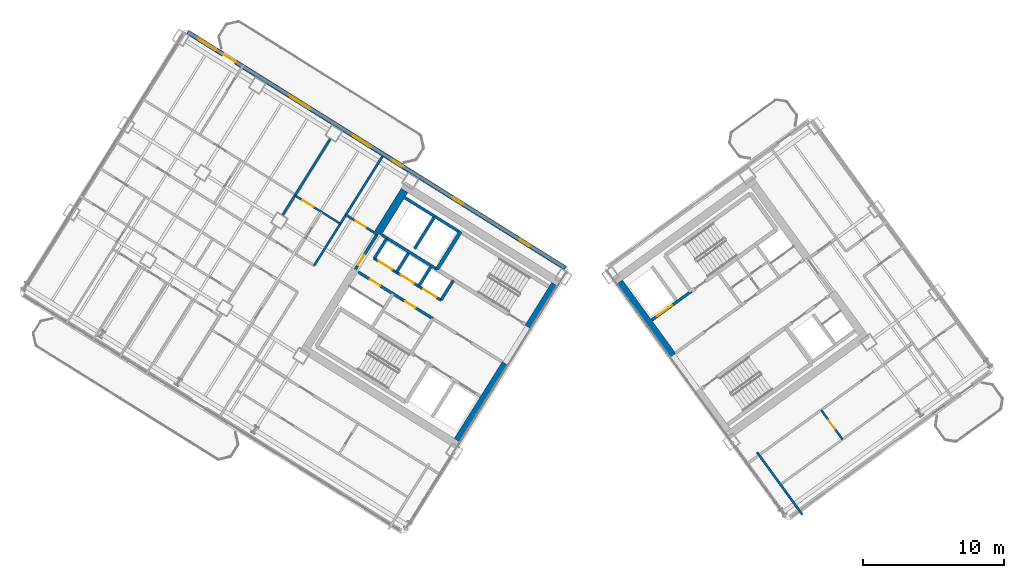
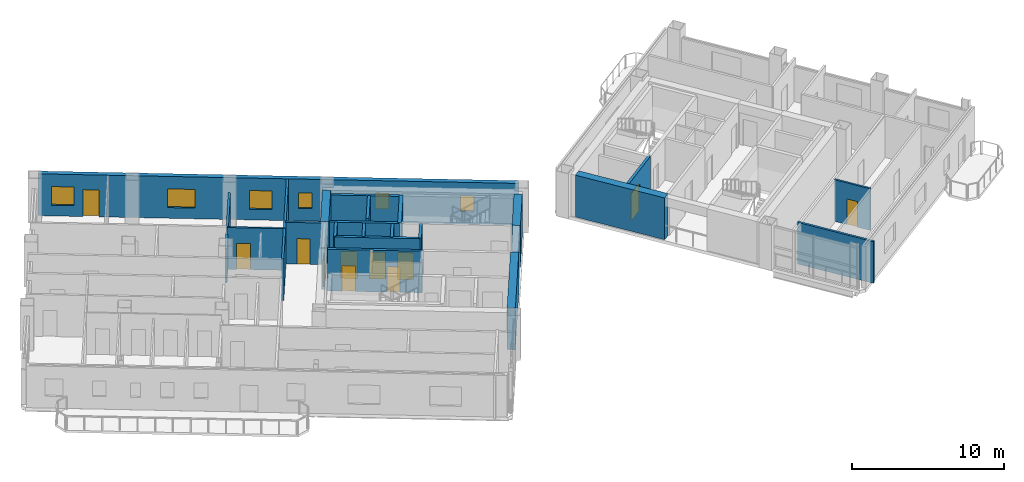
# One storey, part 12 of 19: 23 walls, 11 doors, 6 windows, 17 openings.
"""IFC4 building model written with IfcOpenShell, lengths in metres."""

from ifc_helpers import new_model, si_unit, direction, frame, frame_2d, origin, place, context, subcontext, project, spatial, rectangle, extrude, source, transform, mapped, material, layer, layer_set, type_object, element, fill, save


model = new_model("IFC4")

# Units and contexts
model_context = context("Model", 3, precision=1e-05, world=origin(), true_north=direction((0.0, 1.0)))
body_context = subcontext(model_context, "Body", "Model", "MODEL_VIEW")
ifc_project = project(units=[si_unit("LENGTHUNIT", "METRE"), si_unit("AREAUNIT", "SQUARE_METRE"), si_unit("VOLUMEUNIT", "CUBIC_METRE"), si_unit("PLANEANGLEUNIT", "RADIAN"), si_unit("MASSUNIT", "GRAM", prefix="KILO")], contexts=[model_context])

# Site, building, storey
site_placement = place(None, origin())
site = spatial("IfcSite", under=ifc_project, at=site_placement, CompositionType="ELEMENT")
building_placement = place(site_placement, origin())
building = spatial("IfcBuilding", under=site, at=building_placement, Name="Tlacorven Tower", CompositionType="ELEMENT")
storey_placement = place(building_placement, frame((0.0, 0.0, 144.300048828125)))
storey = spatial("IfcBuildingStorey", under=building, at=storey_placement, Name="L36", CompositionType="ELEMENT", Elevation=144.300048828125)

# Walls
ifc_material_1 = material(Name="Concrete C60/75", Category="concrete")
ifc_layer_1 = layer(ifc_material_1, 0.550048828125)
ifc_layer_set_1 = layer_set([ifc_layer_1], Name="Concrete C60/75")
wall_type_1 = type_object("IfcWallType", Name="WL-COR-550", PredefinedType="SHEAR", material=ifc_layer_set_1)
wall_1_placement = place(storey_placement, frame((40.194091796875, 23.92236328125, 0.0), z_axis=(0.0, 0.0, 1.0), x_axis=(-0.529888438328, -0.848067357541, 0.0)))
element("IfcWall", 1, at=wall_1_placement, inside=storey, type_object=wall_type_1, Name="L36 W core end wall E1.1", PredefinedType="SHEAR", context=body_context, shape_type="SweptSolid", body=[
    extrude(rectangle(XDim=3.574951171875, YDim=0.550048828125, at=frame_2d((1.78759765625, 0.0))), origin(), (0.0, 0.0, 1.0), 3.349853515625),
])
wall_2_placement = place(storey_placement, frame((36.683349609375, 18.30419921875, 0.0), z_axis=(0.0, 0.0, 1.0), x_axis=(-0.529896466841, -0.848062341122, 0.0)))
element("IfcWall", 2, at=wall_2_placement, inside=storey, type_object=wall_type_1, Name="L36 W core end wall E1.2", PredefinedType="SHEAR", context=body_context, shape_type="SweptSolid", body=[
    extrude(rectangle(XDim=6.4248046875, YDim=0.550048828125, at=frame_2d((3.21240234375, 0.0))), origin(), (0.0, 0.0, 1.0), 3.349853515625),
])
wall_3_placement = place(storey_placement, frame((29.517333984375, 30.59423828125, 0.0), z_axis=(0.0, 0.0, 1.0), x_axis=(-0.529906864564, -0.848055844204, 0.0)))
element("IfcWall", 3, at=wall_3_placement, inside=storey, type_object=wall_type_1, Name="L36 W core end wall E2.1", PredefinedType="SHEAR", context=body_context, shape_type="SweptSolid", body=[
    extrude(rectangle(XDim=3.5751953125, YDim=0.550048828125, at=frame_2d((1.78759765625, 0.0))), origin(), (0.0, 0.0, 1.0), 3.349853515625),
])
wall_4_placement = place(storey_placement, frame((48.525634765625, 18.883544921875, 0.0), z_axis=(0.0, 0.0, 1.0), x_axis=(-0.587764933797, 0.809031756236, 0.0)))
element("IfcWall", 4, at=wall_4_placement, inside=storey, type_object=wall_type_1, Name="L36 E core end wall E1.2", PredefinedType="SHEAR", context=body_context, shape_type="SweptSolid", body=[
    extrude(rectangle(XDim=6.425048828125, YDim=0.550048828125, at=frame_2d((3.21240234375, 0.0))), origin(), (0.0, 0.0, 1.0), 3.349853515625),
])

# Wall, opening, door
ifc_material_2 = material(Name="Gypsum plasterboard acoustic partition", Category="gypsum")
ifc_layer_2 = layer(ifc_material_2, 0.159912109375)
ifc_layer_set_2 = layer_set([ifc_layer_2], Name="Gypsum plasterboard acoustic partition")
wall_type_2 = type_object("IfcWallType", Name="WL-DEM-160", PredefinedType="PARTITIONING", material=ifc_layer_set_2)
wall_5_placement = place(storey_placement, frame((27.56982421875, 27.4775390625, 0.0), z_axis=(0.0, 0.0, 1.0), x_axis=(-0.848050851465, 0.529914854792, 0.0)))
wall_5 = element("IfcWall", 5, at=wall_5_placement, inside=storey, type_object=wall_type_2, Name="L36 partition 46", PredefinedType="PARTITIONING", context=body_context, shape_type="SweptSolid", body=[
    extrude(rectangle(XDim=2.60986328125, YDim=0.159912109375, at=frame_2d((1.304931640625, 0.0))), origin(), (0.0, 0.0, 1.0), 3.33984375),
])
opening_1_placement = place(wall_5_placement, frame((0.949951171875, 0.0, 0.0)))
opening_1 = element("IfcOpeningElement", 6, at=opening_1_placement, cuts=wall_5, Name="Opening D19", PredefinedType="OPENING", context=body_context, shape_type="SweptSolid", body=[
    extrude(rectangle(XDim=0.860107421875, YDim=2.050048828125, at=frame_2d((0.43017578125, 1.02490234375))), frame((0.0, 0.08984375, 0.0), z_axis=(0.0, -1.0, 0.0), x_axis=(1.0, 0.0, 0.0)), (0.0, 0.0, 1.0), 0.179931640625),
])
ifc_material_3 = material(Name="Fire-rated steel door assembly", Category="steel")
door_type_1 = type_object("IfcDoorType", Name="DR-RSR-FD60-0860", OperationType="NOTDEFINED", PredefinedType="DOOR", material=ifc_material_3)
shared_shape_1 = source(origin(), body_context, "Body", "SweptSolid", [
    extrude(rectangle(XDim=0.860107421875, YDim=2.050048828125, at=frame_2d((0.43017578125, 1.02490234375))), frame((0.0, 0.02490234375, 0.0), z_axis=(0.0, -1.0, 0.0), x_axis=(1.0, 0.0, 0.0)), (0.0, 0.0, 1.0), 0.050048828125),
])
door_1_placement = place(opening_1_placement, frame((0.860107421875, 0.0, 0.0), z_axis=(0.0, 0.0, 1.0), x_axis=(-1.0, 0.0, 0.0)))
door_1 = element("IfcDoor", 7, at=door_1_placement, inside=storey, type_object=door_type_1, Name="L36 door 023", OperationType="SINGLE_SWING_LEFT", OverallHeight=2.050048828125, OverallWidth=0.860107421875, PredefinedType="DOOR", context=body_context, shape_type="MappedRepresentation", body=[
    mapped(shared_shape_1, transform((0.0, 0.0, 0.0), scale=1.0)),
])
fill(opening_1, door_1)

# Walls
wall_6_placement = place(storey_placement, frame((27.952880859375, 33.01611328125, 0.0), z_axis=(0.0, 0.0, 1.0), x_axis=(-0.529903001606, -0.848058257957, 0.0)))
element("IfcWall", 8, at=wall_6_placement, inside=storey, type_object=wall_type_2, Name="L36 partition 48", PredefinedType="PARTITIONING", context=body_context, shape_type="SweptSolid", body=[
    extrude(rectangle(XDim=9.150146484375, YDim=0.159912109375, at=frame_2d((4.5751953125, 0.0))), origin(), (0.0, 0.0, 1.0), 3.33984375),
])
wall_7_placement = place(storey_placement, frame((24.255615234375, 34.2509765625, 0.0), z_axis=(0.0, 0.0, 1.0), x_axis=(-0.529919772691, -0.848047778437, 0.0)))
element("IfcWall", 9, at=wall_7_placement, inside=storey, type_object=wall_type_2, Name="L36 WS Demising Wall 1", PredefinedType="PARTITIONING", context=body_context, shape_type="SweptSolid", body=[
    extrude(rectangle(XDim=6.375732421875, YDim=0.159912109375, at=frame_2d((3.18798828125, 0.0))), origin(), (0.0, 0.0, 1.0), 2.77490234375),
])
wall_8_placement = place(storey_placement, frame((57.747314453125, 7.586181640625, 0.0), z_axis=(0.0, 0.0, 1.0), x_axis=(-0.587784893399, 0.809017255126, 0.0)))
element("IfcWall", 10, at=wall_8_placement, inside=storey, type_object=wall_type_2, Name="L36 EC West Throat Wall", PredefinedType="PARTITIONING", context=body_context, shape_type="SweptSolid", body=[
    extrude(rectangle(XDim=5.480224609375, YDim=0.159912109375, at=frame_2d((2.740234375, 0.0))), origin(), (0.0, 0.0, 1.0), 3.33984375),
])

# Wall, openings, door, windows
ifc_material_4 = material(Name="Precast concrete C45/55", Category="concrete")
ifc_layer_3 = layer(ifc_material_4, 0.320068359375)
ifc_layer_set_3 = layer_set([ifc_layer_3], Name="Precast concrete C45/55")
wall_type_3 = type_object("IfcWallType", Name="WL-EXT-320", PredefinedType="STANDARD", material=ifc_layer_set_3)
wall_9_placement = place(storey_placement, frame((14.13818359375, 41.825439453125, 0.0), z_axis=(0.0, 0.0, 1.0), x_axis=(0.848046498049, -0.529921821731, 0.0)))
wall_9 = element("IfcWall", 11, at=wall_9_placement, inside=storey, type_object=wall_type_3, Name="L36 Masonry-Frame Recessed Facade Wall 3", PredefinedType="STANDARD", context=body_context, shape_type="SweptSolid", body=[
    extrude(rectangle(XDim=31.587646484375, YDim=0.320068359375, at=frame_2d((15.7939453125, 0.0))), origin(), (0.0, 0.0, 1.0), 3.349853515625),
])
opening_2_placement = place(wall_9_placement, frame((2.94873046875, 0.0, 0.0)))
opening_2 = element("IfcOpeningElement", 12, at=opening_2_placement, cuts=wall_9, Name="Opening D06", PredefinedType="OPENING", context=body_context, shape_type="SweptSolid", body=[
    extrude(rectangle(XDim=1.050048828125, YDim=2.14990234375, at=frame_2d((0.52490234375, 1.074951171875))), frame((0.0, 0.169921875, 0.0), z_axis=(0.0, -1.0, 0.0), x_axis=(1.0, 0.0, 0.0)), (0.0, 0.0, 1.0), 0.340087890625),
])
opening_3_placement = place(wall_9_placement, frame((0.861083984375, 0.0, 0.85009765625)))
opening_3 = element("IfcOpeningElement", 13, at=opening_3_placement, cuts=wall_9, Name="Opening WN02", PredefinedType="OPENING", context=body_context, shape_type="SweptSolid", body=[
    extrude(rectangle(XDim=1.5, YDim=1.5, at=frame_2d((0.75, 0.75))), frame((0.0, 0.169921875, 0.0), z_axis=(0.0, -1.0, 0.0), x_axis=(1.0, 0.0, 0.0)), (0.0, 0.0, 1.0), 0.340087890625),
])
opening_4_placement = place(wall_9_placement, frame((8.49365234375, 0.0, 0.85009765625)))
opening_4 = element("IfcOpeningElement", 14, at=opening_4_placement, cuts=wall_9, Name="Opening WN01", PredefinedType="OPENING", context=body_context, shape_type="SweptSolid", body=[
    extrude(rectangle(XDim=1.800048828125, YDim=1.5, at=frame_2d((0.89990234375, 0.75))), frame((0.0, 0.169921875, 0.0), z_axis=(0.0, -1.0, 0.0), x_axis=(1.0, 0.0, 0.0)), (0.0, 0.0, 1.0), 0.340087890625),
])
opening_5_placement = place(wall_9_placement, frame((13.873779296875, 0.0, 0.85009765625)))
opening_5 = element("IfcOpeningElement", 15, at=opening_5_placement, cuts=wall_9, Name="Opening WN02", PredefinedType="OPENING", context=body_context, shape_type="SweptSolid", body=[
    extrude(rectangle(XDim=1.5, YDim=1.5, at=frame_2d((0.75, 0.75))), frame((0.0, 0.169921875, 0.0), z_axis=(0.0, -1.0, 0.0), x_axis=(1.0, 0.0, 0.0)), (0.0, 0.0, 1.0), 0.340087890625),
])
opening_6_placement = place(wall_9_placement, frame((17.103759765625, 0.0, 1.0)))
opening_6 = element("IfcOpeningElement", 16, at=opening_6_placement, cuts=wall_9, Name="Opening WN05", PredefinedType="OPENING", context=body_context, shape_type="SweptSolid", body=[
    extrude(rectangle(XDim=0.89990234375, YDim=1.25, at=frame_2d((0.449951171875, 0.625))), frame((0.0, 0.169921875, 0.0), z_axis=(0.0, -1.0, 0.0), x_axis=(1.0, 0.0, 0.0)), (0.0, 0.0, 1.0), 0.340087890625),
])
opening_7_placement = place(wall_9_placement, frame((22.143798828125, 0.0, 1.0)))
opening_7 = element("IfcOpeningElement", 17, at=opening_7_placement, cuts=wall_9, Name="Opening WN05", PredefinedType="OPENING", context=body_context, shape_type="SweptSolid", body=[
    extrude(rectangle(XDim=0.89990234375, YDim=1.25, at=frame_2d((0.449951171875, 0.625))), frame((0.0, 0.169921875, 0.0), z_axis=(0.0, -1.0, 0.0), x_axis=(1.0, 0.0, 0.0)), (0.0, 0.0, 1.0), 0.340087890625),
])
opening_8_placement = place(wall_9_placement, frame((27.74365234375, 0.0, 1.0)))
opening_8 = element("IfcOpeningElement", 18, at=opening_8_placement, cuts=wall_9, Name="Opening WN05", PredefinedType="OPENING", context=body_context, shape_type="SweptSolid", body=[
    extrude(rectangle(XDim=0.89990234375, YDim=1.25, at=frame_2d((0.449951171875, 0.625))), frame((0.0, 0.169921875, 0.0), z_axis=(0.0, -1.0, 0.0), x_axis=(1.0, 0.0, 0.0)), (0.0, 0.0, 1.0), 0.340087890625),
])
ifc_material_5 = material(Name="Powder-coated aluminium and timber door", Category="wood")
door_type_2 = type_object("IfcDoorType", Name="DR-EXT-BALC-1050", OperationType="NOTDEFINED", PredefinedType="DOOR", material=ifc_material_5)
shared_shape_2 = source(origin(), body_context, "Body", "SweptSolid", [
    extrude(rectangle(XDim=1.050048828125, YDim=2.14990234375, at=frame_2d((0.52490234375, 1.074951171875))), frame((0.0, 0.02490234375, 0.0), z_axis=(0.0, -1.0, 0.0), x_axis=(1.0, 0.0, 0.0)), (0.0, 0.0, 1.0), 0.050048828125),
])
door_2_placement = place(opening_2_placement, origin())
door_2 = element("IfcDoor", 19, at=door_2_placement, inside=storey, type_object=door_type_2, Name="L36 Outdoor Access Door BAL-L36-W-IN", OperationType="SINGLE_SWING_RIGHT", OverallHeight=2.14990234375, OverallWidth=1.050048828125, PredefinedType="DOOR", context=body_context, shape_type="MappedRepresentation", body=[
    mapped(shared_shape_2, transform((0.0, 0.0, 0.0), scale=1.0)),
])
fill(opening_2, door_2)
ifc_material_6 = material(Name="Dark solar low-E double glazing in anodised aluminium frame", Category="aluminium")
window_type_1 = type_object("IfcWindowType", Name="WN-APT-1800X1650", PartitioningType="SINGLE_PANEL", PredefinedType="WINDOW", material=ifc_material_6)
shared_shape_3 = source(origin(), body_context, "Body", "SweptSolid", [
    extrude(rectangle(XDim=1.800048828125, YDim=1.5, at=frame_2d((0.89990234375, 0.75))), frame((0.0, 0.030029296875, 0.0), z_axis=(0.0, -1.0, 0.0), x_axis=(1.0, 0.0, 0.0)), (0.0, 0.0, 1.0), 0.06005859375),
])
window_1_placement = place(opening_4_placement, origin())
window_1 = element("IfcWindow", 20, at=window_1_placement, inside=storey, type_object=window_type_1, Name="L36 Recessed Masonry-Frame Window L36-03.2", OverallHeight=1.5, OverallWidth=1.800048828125, PartitioningType="SINGLE_PANEL", PredefinedType="WINDOW", context=body_context, shape_type="MappedRepresentation", body=[
    mapped(shared_shape_3, transform((0.0, 0.0, 0.0), scale=1.0)),
])
fill(opening_4, window_1)
window_type_2 = type_object("IfcWindowType", Name="WN-APT-1500X1650", PartitioningType="SINGLE_PANEL", PredefinedType="WINDOW", material=ifc_material_6)
shared_shape_4 = source(origin(), body_context, "Body", "SweptSolid", [
    extrude(rectangle(XDim=1.5, YDim=1.5, at=frame_2d((0.75, 0.75))), frame((0.0, 0.030029296875, 0.0), z_axis=(0.0, -1.0, 0.0), x_axis=(1.0, 0.0, 0.0)), (0.0, 0.0, 1.0), 0.06005859375),
])
window_2_placement = place(opening_3_placement, origin())
window_2 = element("IfcWindow", 21, at=window_2_placement, inside=storey, type_object=window_type_2, Name="L36 Recessed Masonry-Frame Window L36-03.1", OverallHeight=1.5, OverallWidth=1.5, PartitioningType="SINGLE_PANEL", PredefinedType="WINDOW", context=body_context, shape_type="MappedRepresentation", body=[
    mapped(shared_shape_4, transform((0.0, 0.0, 0.0), scale=1.0)),
])
fill(opening_3, window_2)
window_3_placement = place(opening_5_placement, origin())
window_3 = element("IfcWindow", 22, at=window_3_placement, inside=storey, type_object=window_type_2, Name="L36 Recessed Masonry-Frame Window L36-03.3", OverallHeight=1.5, OverallWidth=1.5, PartitioningType="SINGLE_PANEL", PredefinedType="WINDOW", context=body_context, shape_type="MappedRepresentation", body=[
    mapped(shared_shape_4, transform((0.0, 0.0, 0.0), scale=1.0)),
])
fill(opening_5, window_3)
window_type_3 = type_object("IfcWindowType", Name="WN-APT-0900X1350", PartitioningType="SINGLE_PANEL", PredefinedType="WINDOW", material=ifc_material_6)
shared_shape_5 = source(origin(), body_context, "Body", "SweptSolid", [
    extrude(rectangle(XDim=0.89990234375, YDim=1.25, at=frame_2d((0.449951171875, 0.625))), frame((0.0, 0.030029296875, 0.0), z_axis=(0.0, -1.0, 0.0), x_axis=(1.0, 0.0, 0.0)), (0.0, 0.0, 1.0), 0.06005859375),
])
window_4_placement = place(opening_6_placement, origin())
window_4 = element("IfcWindow", 23, at=window_4_placement, inside=storey, type_object=window_type_3, Name="L36 Recessed Masonry-Frame Window L36-03.4", OverallHeight=1.25, OverallWidth=0.89990234375, PartitioningType="SINGLE_PANEL", PredefinedType="WINDOW", context=body_context, shape_type="MappedRepresentation", body=[
    mapped(shared_shape_5, transform((0.0, 0.0, 0.0), scale=1.0)),
])
fill(opening_6, window_4)
window_5_placement = place(opening_7_placement, origin())
window_5 = element("IfcWindow", 24, at=window_5_placement, inside=storey, type_object=window_type_3, Name="L36 Recessed Masonry-Frame Window L36-03.5", OverallHeight=1.25, OverallWidth=0.89990234375, PartitioningType="SINGLE_PANEL", PredefinedType="WINDOW", context=body_context, shape_type="MappedRepresentation", body=[
    mapped(shared_shape_5, transform((0.0, 0.0, 0.0), scale=1.0)),
])
fill(opening_7, window_5)
window_6_placement = place(opening_8_placement, origin())
window_6 = element("IfcWindow", 25, at=window_6_placement, inside=storey, type_object=window_type_3, Name="L36 Recessed Masonry-Frame Window L36-03.6", OverallHeight=1.25, OverallWidth=0.89990234375, PartitioningType="SINGLE_PANEL", PredefinedType="WINDOW", context=body_context, shape_type="MappedRepresentation", body=[
    mapped(shared_shape_5, transform((0.0, 0.0, 0.0), scale=1.0)),
])
fill(opening_8, window_6)

# Wall, opening, door
ifc_material_7 = material(Name="Moisture-resistant gypsum plumbing wall", Category="gypsum")
ifc_layer_4 = layer(ifc_material_7, 0.139892578125)
ifc_layer_set_4 = layer_set([ifc_layer_4], Name="Moisture-resistant gypsum plumbing wall")
wall_type_4 = type_object("IfcWallType", Name="WL-PLM-140", PredefinedType="PLUMBINGWALL", material=ifc_layer_set_4)
wall_10_placement = place(storey_placement, frame((24.96435546875, 28.233154296875, 0.0), z_axis=(0.0, 0.0, 1.0), x_axis=(-0.848059820872, 0.529900500304, 0.0)))
wall_10 = element("IfcWall", 26, at=wall_10_placement, inside=storey, type_object=wall_type_4, Name="L36 partition 66", PredefinedType="PLUMBINGWALL", context=body_context, shape_type="SweptSolid", body=[
    extrude(rectangle(XDim=3.7900390625, YDim=0.139892578125, at=frame_2d((1.89501953125, 0.0))), origin(), (0.0, 0.0, 1.0), 3.33984375),
])
opening_9_placement = place(wall_10_placement, frame((2.22998046875, 0.0, 0.0)))
opening_9 = element("IfcOpeningElement", 27, at=opening_9_placement, cuts=wall_10, Name="Opening D12", PredefinedType="OPENING", context=body_context, shape_type="SweptSolid", body=[
    extrude(rectangle(XDim=0.919921875, YDim=2.080078125, at=frame_2d((0.4599609375, 1.0400390625))), frame((0.0, 0.080078125, 0.0), z_axis=(0.0, -1.0, 0.0), x_axis=(1.0, 0.0, 0.0)), (0.0, 0.0, 1.0), 0.159912109375),
])
door_type_3 = type_object("IfcDoorType", Name="DR-INT-ROOM-0920", OperationType="NOTDEFINED", PredefinedType="DOOR", material=ifc_material_5)
shared_shape_6 = source(origin(), body_context, "Body", "SweptSolid", [
    extrude(rectangle(XDim=0.919921875, YDim=2.080078125, at=frame_2d((0.4599609375, 1.0400390625))), frame((0.0, 0.02490234375, 0.0), z_axis=(0.0, -1.0, 0.0), x_axis=(1.0, 0.0, 0.0)), (0.0, 0.0, 1.0), 0.050048828125),
])
door_3_placement = place(opening_9_placement, origin())
door_3 = element("IfcDoor", 28, at=door_3_placement, inside=storey, type_object=door_type_3, Name="L36 door 039", OperationType="SINGLE_SWING_RIGHT", OverallHeight=2.080078125, OverallWidth=0.919921875, PredefinedType="DOOR", context=body_context, shape_type="MappedRepresentation", body=[
    mapped(shared_shape_6, transform((0.0, 0.0, 0.0), scale=1.0)),
])
fill(opening_9, door_3)

wall_11_placement = place(storey_placement, frame((60.584716796875, 12.935791015625, 0.0), z_axis=(0.0, 0.0, 1.0), x_axis=(-0.587772116736, 0.809026537752, 0.0)))
wall_11 = element("IfcWall", 29, at=wall_11_placement, inside=storey, type_object=wall_type_4, Name="L36 partition 87", PredefinedType="PLUMBINGWALL", context=body_context, shape_type="SweptSolid", body=[
    extrude(rectangle(XDim=2.579833984375, YDim=0.139892578125, at=frame_2d((1.2900390625, 0.0))), origin(), (0.0, 0.0, 1.0), 3.33984375),
])
opening_10_placement = place(wall_11_placement, frame((0.89990234375, 0.0, 0.0)))
opening_10 = element("IfcOpeningElement", 30, at=opening_10_placement, cuts=wall_11, Name="Opening D22", PredefinedType="OPENING", context=body_context, shape_type="SweptSolid", body=[
    extrude(rectangle(XDim=0.780029296875, YDim=2.050048828125, at=frame_2d((0.39013671875, 1.02490234375))), frame((0.0, 0.080078125, 0.0), z_axis=(0.0, -1.0, 0.0), x_axis=(1.0, 0.0, 0.0)), (0.0, 0.0, 1.0), 0.159912109375),
])
door_type_4 = type_object("IfcDoorType", Name="DR-INT-WET-0780", OperationType="NOTDEFINED", PredefinedType="DOOR", material=ifc_material_5)
shared_shape_7 = source(origin(), body_context, "Body", "SweptSolid", [
    extrude(rectangle(XDim=0.780029296875, YDim=2.050048828125, at=frame_2d((0.39013671875, 1.02490234375))), frame((0.0, 0.02490234375, 0.0), z_axis=(0.0, -1.0, 0.0), x_axis=(1.0, 0.0, 0.0)), (0.0, 0.0, 1.0), 0.050048828125),
])
door_4_placement = place(opening_10_placement, origin())
door_4 = element("IfcDoor", 31, at=door_4_placement, inside=storey, type_object=door_type_4, Name="L36 door 055", OperationType="SINGLE_SWING_RIGHT", OverallHeight=2.050048828125, OverallWidth=0.780029296875, PredefinedType="DOOR", context=body_context, shape_type="MappedRepresentation", body=[
    mapped(shared_shape_7, transform((0.0, 0.0, 0.0), scale=1.0)),
])
fill(opening_10, door_4)

# Wall
ifc_material_8 = material(Name="Concrete C40/50", Category="concrete")
ifc_layer_5 = layer(ifc_material_8, 0.199951171875)
ifc_layer_set_5 = layer_set([ifc_layer_5], Name="Concrete C40/50")
wall_type_5 = type_object("IfcWallType", Name="WL-SHF-200", PredefinedType="STANDARD", material=ifc_layer_set_5)
wall_12_placement = place(storey_placement, frame((31.82177734375, 24.99755859375, 0.0), z_axis=(0.0, 0.0, 1.0), x_axis=(-0.848036912365, 0.52993716162, 0.0)))
element("IfcWall", 32, at=wall_12_placement, inside=storey, type_object=wall_type_5, Name="L36 Core W South Lift Shaft Wall", PredefinedType="STANDARD", context=body_context, shape_type="SweptSolid", body=[
    extrude(rectangle(XDim=4.617919921875, YDim=0.199951171875, at=frame_2d((2.30908203125, 0.0))), origin(), (0.0, 0.0, 1.0), 3.33984375),
])

# Wall, openings, doors
wall_13_placement = place(storey_placement, frame((32.108154296875, 22.81396484375, 0.0), z_axis=(0.0, 0.0, 1.0), x_axis=(-0.848042229521, 0.529928652696, 0.0)))
wall_13 = element("IfcWall", 33, at=wall_13_placement, inside=storey, type_object=wall_type_5, Name="L36 partition 11", PredefinedType="STANDARD", context=body_context, shape_type="SweptSolid", body=[
    extrude(rectangle(XDim=5.6201171875, YDim=0.199951171875, at=frame_2d((2.81005859375, 0.0))), origin(), (0.0, 0.0, 1.0), 3.33984375),
])
opening_11_placement = place(wall_13_placement, frame((0.389892578125, 0.0, 0.0)))
opening_11 = element("IfcOpeningElement", 34, at=opening_11_placement, cuts=wall_13, Name="Opening LD01", PredefinedType="OPENING", context=body_context, shape_type="SweptSolid", body=[
    extrude(rectangle(XDim=1.10009765625, YDim=2.14990234375, at=frame_2d((0.550048828125, 1.074951171875))), frame((0.0, 0.10986328125, 0.0), z_axis=(0.0, -1.0, 0.0), x_axis=(1.0, 0.0, 0.0)), (0.0, 0.0, 1.0), 0.219970703125),
])
opening_12_placement = place(wall_13_placement, frame((2.25, 0.0, 0.0)))
opening_12 = element("IfcOpeningElement", 35, at=opening_12_placement, cuts=wall_13, Name="Opening LD01", PredefinedType="OPENING", context=body_context, shape_type="SweptSolid", body=[
    extrude(rectangle(XDim=1.10009765625, YDim=2.14990234375, at=frame_2d((0.550048828125, 1.074951171875))), frame((0.0, 0.10986328125, 0.0), z_axis=(0.0, -1.0, 0.0), x_axis=(1.0, 0.0, 0.0)), (0.0, 0.0, 1.0), 0.219970703125),
])
opening_13_placement = place(wall_13_placement, frame((4.110107421875, 0.0, 0.0)))
opening_13 = element("IfcOpeningElement", 36, at=opening_13_placement, cuts=wall_13, Name="Opening LD01", PredefinedType="OPENING", context=body_context, shape_type="SweptSolid", body=[
    extrude(rectangle(XDim=1.10009765625, YDim=2.14990234375, at=frame_2d((0.550048828125, 1.074951171875))), frame((0.0, 0.10986328125, 0.0), z_axis=(0.0, -1.0, 0.0), x_axis=(1.0, 0.0, 0.0)), (0.0, 0.0, 1.0), 0.219970703125),
])
door_type_5 = type_object("IfcDoorType", Name="DR-LFT-SLID-1100", OperationType="DOUBLE_DOOR_SLIDING", PredefinedType="DOOR", material=ifc_material_3)
shared_shape_8 = source(origin(), body_context, "Body", "SweptSolid", [
    extrude(rectangle(XDim=1.10009765625, YDim=2.14990234375, at=frame_2d((0.550048828125, 1.074951171875))), frame((0.0, 0.02490234375, 0.0), z_axis=(0.0, -1.0, 0.0), x_axis=(1.0, 0.0, 0.0)), (0.0, 0.0, 1.0), 0.050048828125),
])
door_5_placement = place(opening_11_placement, origin())
door_5 = element("IfcDoor", 37, at=door_5_placement, inside=storey, type_object=door_type_5, Name="L36 Lift PL-M1 Sliding Landing Door", OperationType="DOUBLE_DOOR_SLIDING", OverallHeight=2.14990234375, OverallWidth=1.10009765625, PredefinedType="DOOR", context=body_context, shape_type="MappedRepresentation", body=[
    mapped(shared_shape_8, transform((0.0, 0.0, 0.0), scale=1.0)),
])
fill(opening_11, door_5)
door_6_placement = place(opening_12_placement, origin())
door_6 = element("IfcDoor", 38, at=door_6_placement, inside=storey, type_object=door_type_5, Name="L36 Lift PL-M2 Sliding Landing Door", OperationType="DOUBLE_DOOR_SLIDING", OverallHeight=2.14990234375, OverallWidth=1.10009765625, PredefinedType="DOOR", context=body_context, shape_type="MappedRepresentation", body=[
    mapped(shared_shape_8, transform((0.0, 0.0, 0.0), scale=1.0)),
])
fill(opening_12, door_6)
door_7_placement = place(opening_13_placement, origin())
door_7 = element("IfcDoor", 39, at=door_7_placement, inside=storey, type_object=door_type_5, Name="L36 Lift PL-M3 Sliding Landing Door", OperationType="DOUBLE_DOOR_SLIDING", OverallHeight=2.14990234375, OverallWidth=1.10009765625, PredefinedType="DOOR", context=body_context, shape_type="MappedRepresentation", body=[
    mapped(shared_shape_8, transform((0.0, 0.0, 0.0), scale=1.0)),
])
fill(opening_13, door_7)

# Walls
wall_14_placement = place(storey_placement, frame((32.982421875, 24.21337890625, 0.0), z_axis=(0.0, 0.0, 1.0), x_axis=(-0.529839334948, -0.84809803628, 0.0)))
element("IfcWall", 40, at=wall_14_placement, inside=storey, type_object=wall_type_5, Name="L36 partition 12", PredefinedType="STANDARD", context=body_context, shape_type="SweptSolid", body=[
    extrude(rectangle(XDim=1.650146484375, YDim=0.199951171875, at=frame_2d((0.8251953125, 0.0))), origin(), (0.0, 0.0, 1.0), 3.33984375),
])
wall_15_placement = place(storey_placement, frame((28.250244140625, 27.170166015625, 0.0), z_axis=(0.0, 0.0, 1.0), x_axis=(-0.529905827651, -0.848056492117, 0.0)))
element("IfcWall", 41, at=wall_15_placement, inside=storey, type_object=wall_type_5, Name="L36 partition 13", PredefinedType="STANDARD", context=body_context, shape_type="SweptSolid", body=[
    extrude(rectangle(XDim=1.64990234375, YDim=0.199951171875, at=frame_2d((0.824951171875, 0.0))), origin(), (0.0, 0.0, 1.0), 3.33984375),
])
wall_16_placement = place(storey_placement, frame((31.645263671875, 28.716064453125, 0.0), z_axis=(0.0, 0.0, 1.0), x_axis=(-0.52986693015, -0.848080795876, 0.0)))
element("IfcWall", 42, at=wall_16_placement, inside=storey, type_object=wall_type_5, Name="L36 partition 15", PredefinedType="STANDARD", context=body_context, shape_type="SweptSolid", body=[
    extrude(rectangle(XDim=2.659912109375, YDim=0.199951171875, at=frame_2d((1.330078125, 0.0))), origin(), (0.0, 0.0, 1.0), 3.33984375),
])
wall_17_placement = place(storey_placement, frame((33.362548828125, 27.690185546875, 0.0), z_axis=(0.0, 0.0, 1.0), x_axis=(-0.848047090064, 0.529920874315, 0.0)))
element("IfcWall", 43, at=wall_17_placement, inside=storey, type_object=wall_type_5, Name="L36 partition 17", PredefinedType="STANDARD", context=body_context, shape_type="SweptSolid", body=[
    extrude(rectangle(XDim=4.498046875, YDim=0.199951171875, at=frame_2d((2.2490234375, 0.0))), origin(), (0.0, 0.0, 1.0), 3.33984375),
])
for number, where, z_axis, x_axis, name in (
    (44, (31.378662109375, 25.156494140625, 0.0), (0.0, 0.0, 1.0), (-0.529998940003, -0.847998304005, 0.0), "L36 partition 18"),
    (45, (29.80126953125, 26.14208984375, 0.0), (0.0, 0.0, 1.0), (-0.529998940003, -0.847998304005, 0.0), "L36 partition 19"),
):
    element("IfcWall", number, at=place(storey_placement, frame(where, z_axis=z_axis, x_axis=x_axis)), inside=storey, type_object=wall_type_5, Name=name, PredefinedType="STANDARD", context=body_context, shape_type="SweptSolid", body=[
        extrude(rectangle(XDim=1.580078125, YDim=0.199951171875, at=frame_2d((0.7900390625, 0.0))), origin(), (0.0, 0.0, 1.0), 3.33984375),
    ])

# Wall, openings, doors
wall_18_placement = place(storey_placement, frame((31.525146484375, 21.503662109375, 0.0), z_axis=(0.0, 0.0, 1.0), x_axis=(-0.848040211232, 0.529931882541, 0.0)))
wall_18 = element("IfcWall", 46, at=wall_18_placement, inside=storey, type_object=wall_type_5, Name="L36 Core W North Service Wall", PredefinedType="STANDARD", context=body_context, shape_type="SweptSolid", body=[
    extrude(rectangle(XDim=6.218017578125, YDim=0.199951171875, at=frame_2d((3.10888671875, 0.0))), origin(), (0.0, 0.0, 1.0), 3.33984375),
])
opening_14_placement = place(wall_18_placement, frame((4.39990234375, 0.0, 0.0)))
opening_14 = element("IfcOpeningElement", 47, at=opening_14_placement, cuts=wall_18, Name="Opening D19", PredefinedType="OPENING", context=body_context, shape_type="SweptSolid", body=[
    extrude(rectangle(XDim=0.860107421875, YDim=2.050048828125, at=frame_2d((0.43017578125, 1.02490234375))), frame((0.0, 0.10986328125, 0.0), z_axis=(0.0, -1.0, 0.0), x_axis=(1.0, 0.0, 0.0)), (0.0, 0.0, 1.0), 0.219970703125),
])
opening_15_placement = place(wall_18_placement, frame((1.449951171875, 0.0, 0.0)))
opening_15 = element("IfcOpeningElement", 48, at=opening_15_placement, cuts=wall_18, Name="Opening D19", PredefinedType="OPENING", context=body_context, shape_type="SweptSolid", body=[
    extrude(rectangle(XDim=0.860107421875, YDim=2.050048828125, at=frame_2d((0.43017578125, 1.02490234375))), frame((0.0, 0.10986328125, 0.0), z_axis=(0.0, -1.0, 0.0), x_axis=(1.0, 0.0, 0.0)), (0.0, 0.0, 1.0), 0.219970703125),
])
door_8_placement = place(opening_14_placement, frame((0.860107421875, 0.0, 0.0), z_axis=(0.0, 0.0, 1.0), x_axis=(-1.0, 0.0, 0.0)))
door_8 = element("IfcDoor", 49, at=door_8_placement, inside=storey, type_object=door_type_1, Name="L36 Electrical Riser Access Door W", OperationType="SINGLE_SWING_LEFT", OverallHeight=2.050048828125, OverallWidth=0.860107421875, PredefinedType="DOOR", context=body_context, shape_type="MappedRepresentation", body=[
    mapped(shared_shape_1, transform((0.0, 0.0, 0.0), scale=1.0)),
])
fill(opening_14, door_8)
door_9_placement = place(opening_15_placement, frame((0.860107421875, 0.0, 0.0), z_axis=(0.0, 0.0, 1.0), x_axis=(-1.0, 0.0, 0.0)))
door_9 = element("IfcDoor", 50, at=door_9_placement, inside=storey, type_object=door_type_1, Name="L36 Cleaner Store Access Door W", OperationType="SINGLE_SWING_RIGHT", OverallHeight=2.050048828125, OverallWidth=0.860107421875, PredefinedType="DOOR", context=body_context, shape_type="MappedRepresentation", body=[
    mapped(shared_shape_1, transform((0.0, 0.0, 0.0), scale=1.0)),
])
fill(opening_15, door_9)

# Wall, opening, door
wall_19_placement = place(storey_placement, frame((47.0654296875, 21.4072265625, 0.0), z_axis=(0.0, 0.0, 1.0), x_axis=(0.809032984992, 0.587763242466, 0.0)))
wall_19 = element("IfcWall", 51, at=wall_19_placement, inside=storey, type_object=wall_type_5, Name="L36 Core E Firefighting Lift Shaft Front Wall", PredefinedType="STANDARD", context=body_context, shape_type="SweptSolid", body=[
    extrude(rectangle(XDim=3.447998046875, YDim=0.199951171875, at=frame_2d((1.72412109375, 0.0))), origin(), (0.0, 0.0, 1.0), 3.33984375),
])
opening_16_placement = place(wall_19_placement, frame((0.4580078125, 0.0, 0.0)))
opening_16 = element("IfcOpeningElement", 52, at=opening_16_placement, cuts=wall_19, Name="Opening LD03", PredefinedType="OPENING", context=body_context, shape_type="SweptSolid", body=[
    extrude(rectangle(XDim=1.300048828125, YDim=2.199951171875, at=frame_2d((0.64990234375, 1.10009765625))), frame((0.0, 0.10986328125, 0.0), z_axis=(0.0, -1.0, 0.0), x_axis=(1.0, 0.0, 0.0)), (0.0, 0.0, 1.0), 0.219970703125),
])
door_type_6 = type_object("IfcDoorType", Name="DR-LFT-SLID-1300", OperationType="DOUBLE_DOOR_SLIDING", PredefinedType="DOOR", material=ifc_material_3)
shared_shape_9 = source(origin(), body_context, "Body", "SweptSolid", [
    extrude(rectangle(XDim=1.300048828125, YDim=2.199951171875, at=frame_2d((0.64990234375, 1.10009765625))), frame((0.0, 0.02490234375, 0.0), z_axis=(0.0, -1.0, 0.0), x_axis=(1.0, 0.0, 0.0)), (0.0, 0.0, 1.0), 0.050048828125),
])
door_10_placement = place(opening_16_placement, origin())
door_10 = element("IfcDoor", 53, at=door_10_placement, inside=storey, type_object=door_type_6, Name="L36 Lift FFL-E1 Sliding Landing Door", OperationType="DOUBLE_DOOR_SLIDING", OverallHeight=2.199951171875, OverallWidth=1.300048828125, PredefinedType="DOOR", context=body_context, shape_type="MappedRepresentation", body=[
    mapped(shared_shape_9, transform((0.0, 0.0, 0.0), scale=1.0)),
])
fill(opening_16, door_10)

wall_20_placement = place(storey_placement, frame((27.59619140625, 27.52001953125, 0.0), z_axis=(0.0, 0.0, 1.0), x_axis=(-0.529865479138, -0.848081702443, 0.0)))
wall_20 = element("IfcWall", 54, at=wall_20_placement, inside=storey, type_object=wall_type_5, Name="L36 partition 45", PredefinedType="STANDARD", context=body_context, shape_type="SweptSolid", body=[
    extrude(rectangle(XDim=2.9599609375, YDim=0.199951171875, at=frame_2d((1.47998046875, 0.0))), origin(), (0.0, 0.0, 1.0), 3.33984375),
])
opening_17_placement = place(wall_20_placement, frame((1.760009765625, 0.0, 0.0)))
opening_17 = element("IfcOpeningElement", 55, at=opening_17_placement, cuts=wall_20, Name="Opening D19", PredefinedType="OPENING", context=body_context, shape_type="SweptSolid", body=[
    extrude(rectangle(XDim=0.860107421875, YDim=2.050048828125, at=frame_2d((0.43017578125, 1.02490234375))), frame((0.0, 0.10986328125, 0.0), z_axis=(0.0, -1.0, 0.0), x_axis=(1.0, 0.0, 0.0)), (0.0, 0.0, 1.0), 0.219970703125),
])
door_11_placement = place(opening_17_placement, origin())
door_11 = element("IfcDoor", 56, at=door_11_placement, inside=storey, type_object=door_type_1, Name="L36 door 024", OperationType="SINGLE_SWING_LEFT", OverallHeight=2.050048828125, OverallWidth=0.860107421875, PredefinedType="DOOR", context=body_context, shape_type="MappedRepresentation", body=[
    mapped(shared_shape_1, transform((0.0, 0.0, 0.0), scale=1.0)),
])
fill(opening_17, door_11)

# Wall
ifc_material_9 = material(Name="Concrete C50/60", Category="concrete")
ifc_layer_6 = layer(ifc_material_9, 0.260009765625)
ifc_layer_set_6 = layer_set([ifc_layer_6], Name="Concrete C50/60")
wall_type_6 = type_object("IfcWallType", Name="WL-STW-260", PredefinedType="SHEAR", material=ifc_layer_set_6)
wall_21_placement = place(storey_placement, frame((33.496337890625, 27.677490234375, 0.0), z_axis=(0.0, 0.0, 1.0), x_axis=(-0.529908658664, -0.84805472316, 0.0)))
element("IfcWall", 57, at=wall_21_placement, inside=storey, type_object=wall_type_6, Name="L36 Stair W2 East Shear Wall", PredefinedType="SHEAR", context=body_context, shape_type="SweptSolid", body=[
    extrude(rectangle(XDim=3.16015625, YDim=0.260009765625, at=frame_2d((1.580078125, 0.0))), origin(), (0.0, 0.0, 1.0), 3.349853515625),
])

save(model, "model.ifc")
